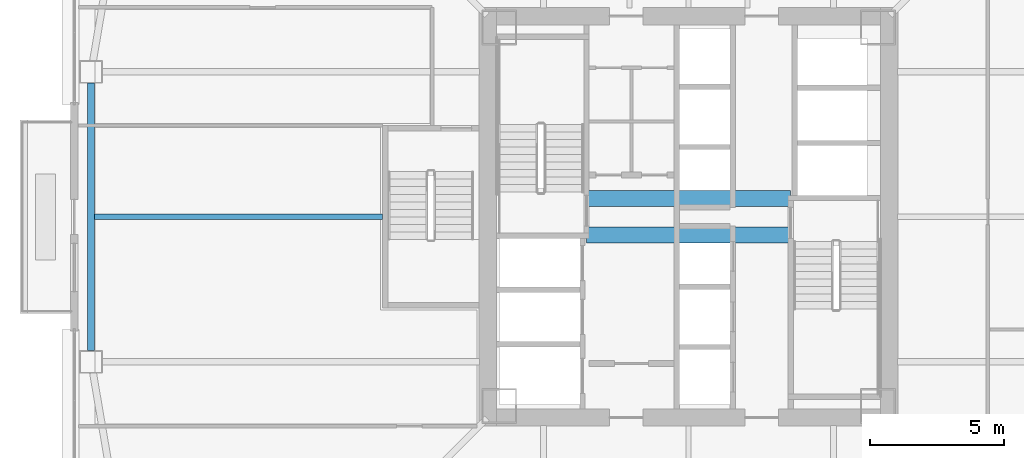
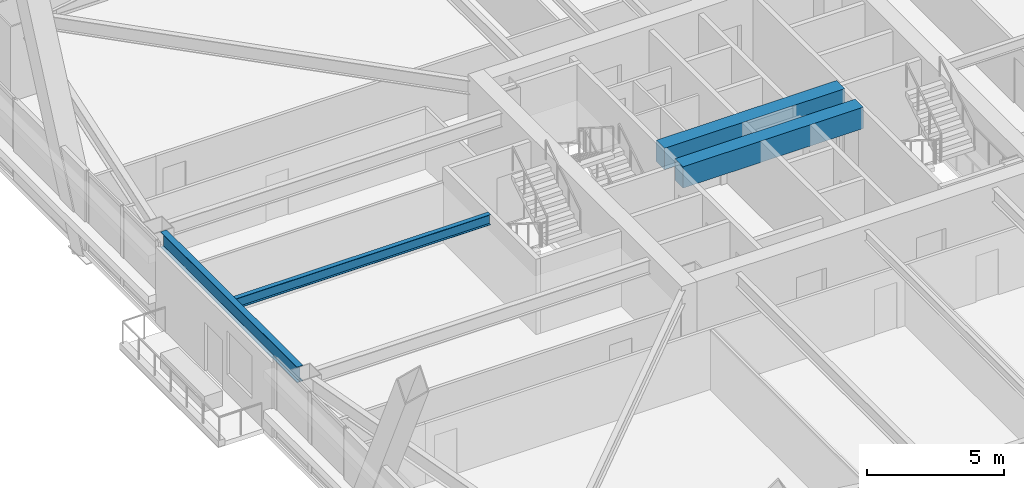
# One storey, part 9 of 75: 4 beams.
"""IFC4 building model written with IfcOpenShell, lengths in metres."""

from ifc_helpers import new_model, si_unit, direction, frame, origin, origin_2d, place, context, subcontext, project, spatial, rectangle, i_section, extrude, material, material_profile, profile_set, type_object, element, save


model = new_model("IFC4")

# Units and contexts
model_context = context("Model", 3, precision=1e-05, world=origin(), true_north=direction((0.0, 1.0)))
body_context = subcontext(model_context, "Body", "Model", "MODEL_VIEW")
ifc_project = project(units=[si_unit("LENGTHUNIT", "METRE"), si_unit("AREAUNIT", "SQUARE_METRE"), si_unit("VOLUMEUNIT", "CUBIC_METRE"), si_unit("PLANEANGLEUNIT", "RADIAN"), si_unit("MASSUNIT", "GRAM", prefix="KILO")], contexts=[model_context])

# Site, building, storey
site_placement = place(None, origin())
site = spatial("IfcSite", under=ifc_project, at=site_placement, CompositionType="ELEMENT")
building_placement = place(site_placement, origin())
building = spatial("IfcBuilding", under=site, at=building_placement, Name="Tashvorn Skyway Center", CompositionType="ELEMENT")
storey_placement = place(building_placement, frame((0.0, 0.0, 45.89990234375)))
storey = spatial("IfcBuildingStorey", under=building, at=storey_placement, Name="L11", CompositionType="ELEMENT", Elevation=45.89990234375)

# Beams
ifc_material_1 = material(Name="Steel ASTM A992 Grade 50", Category="steel")
ifc_material_profile_1 = material_profile(ifc_material_1, i_section(OverallWidth=0.19091796875, OverallDepth=0.4599609375, WebThickness=0.010009765625, FlangeThickness=0.01611328125, at=origin_2d()), Name="W18X55")
ifc_profile_set_1 = profile_set([ifc_material_profile_1], Name="Steel ASTM A992 Grade 50")
beam_type_1 = type_object("IfcBeamType", Name="BM-JOIST-W18X55", PredefinedType="JOIST", material=ifc_profile_set_1)
beam_1_placement = place(storey_placement, frame((30.610107421875, 32.0, 3.1201171875), z_axis=(-1.0, 0.0, 0.0), x_axis=(0.0, -1.0, 0.0)))
element("IfcBeam", 1, at=beam_1_placement, inside=storey, type_object=beam_type_1, Name="Tower 1 L11 Secondary Composite Joist JW", PredefinedType="JOIST", context=body_context, shape_type="SweptSolid", body=[
    extrude(i_section(OverallWidth=0.19091796875, OverallDepth=0.4599609375, WebThickness=0.010009765625, FlangeThickness=0.01611328125, at=origin_2d()), origin(), (0.0, 0.0, 1.0), 10.739990234375),
])
ifc_material_2 = material(Name="Concrete C60/75", Category="concrete")
ifc_material_profile_2 = material_profile(ifc_material_2, rectangle(XDim=0.60009765625, YDim=0.949951171875, at=origin_2d()), Name="RCB600x950")
ifc_profile_set_2 = profile_set([ifc_material_profile_2], Name="Concrete C60/75")
beam_type_2 = type_object("IfcBeamType", Name="BM-LINTEL-RCB600x950", PredefinedType="LINTEL", material=ifc_profile_set_2)
for number, where, z_axis, x_axis, name in (
    (2, (38.199951171875, 32.679931640625, 2.875), (1.0, 0.0, 0.0), (0.0, 1.0, 0.0), "Tower 1 L11 Core Coupling Beam CN"),
    (3, (38.199951171875, 31.320068359375, 2.875), (1.0, 0.0, 0.0), (0.0, 1.0, 0.0), "Tower 1 L11 Core Coupling Beam CS"),
):
    element("IfcBeam", number, at=place(storey_placement, frame(where, z_axis=z_axis, x_axis=x_axis)), inside=storey, type_object=beam_type_2, Name=name, PredefinedType="LINTEL", context=body_context, shape_type="SweptSolid", body=[
        extrude(rectangle(XDim=0.60009765625, YDim=0.949951171875, at=origin_2d()), origin(), (0.0, 0.0, 1.0), 7.60009765625),
    ])
ifc_material_profile_3 = material_profile(ifc_material_1, i_section(OverallWidth=0.256103515625, OverallDepth=0.693115234375, WebThickness=0.014404296875, FlangeThickness=0.023681640625, at=origin_2d()), Name="W27X114")
ifc_profile_set_3 = profile_set([ifc_material_profile_3], Name="Steel ASTM A992 Grade 50")
beam_type_3 = type_object("IfcBeamType", Name="BM-SPANDREL-W27X114", PredefinedType="SPANDREL", material=ifc_profile_set_3)
beam_2_placement = place(storey_placement, frame((19.75, 36.97998046875, 3.003662109375), z_axis=(0.0, -1.0, 0.0), x_axis=(1.0, 0.0, 0.0)))
element("IfcBeam", 4, at=beam_2_placement, inside=storey, type_object=beam_type_3, Name="Tower 1 L11 Spandrel Beam 11", PredefinedType="SPANDREL", context=body_context, shape_type="SweptSolid", body=[
    extrude(i_section(OverallWidth=0.256103515625, OverallDepth=0.693115234375, WebThickness=0.014404296875, FlangeThickness=0.023681640625, at=origin_2d()), origin(), (0.0, 0.0, 1.0), 9.9599609375),
])

save(model, "model.ifc")
